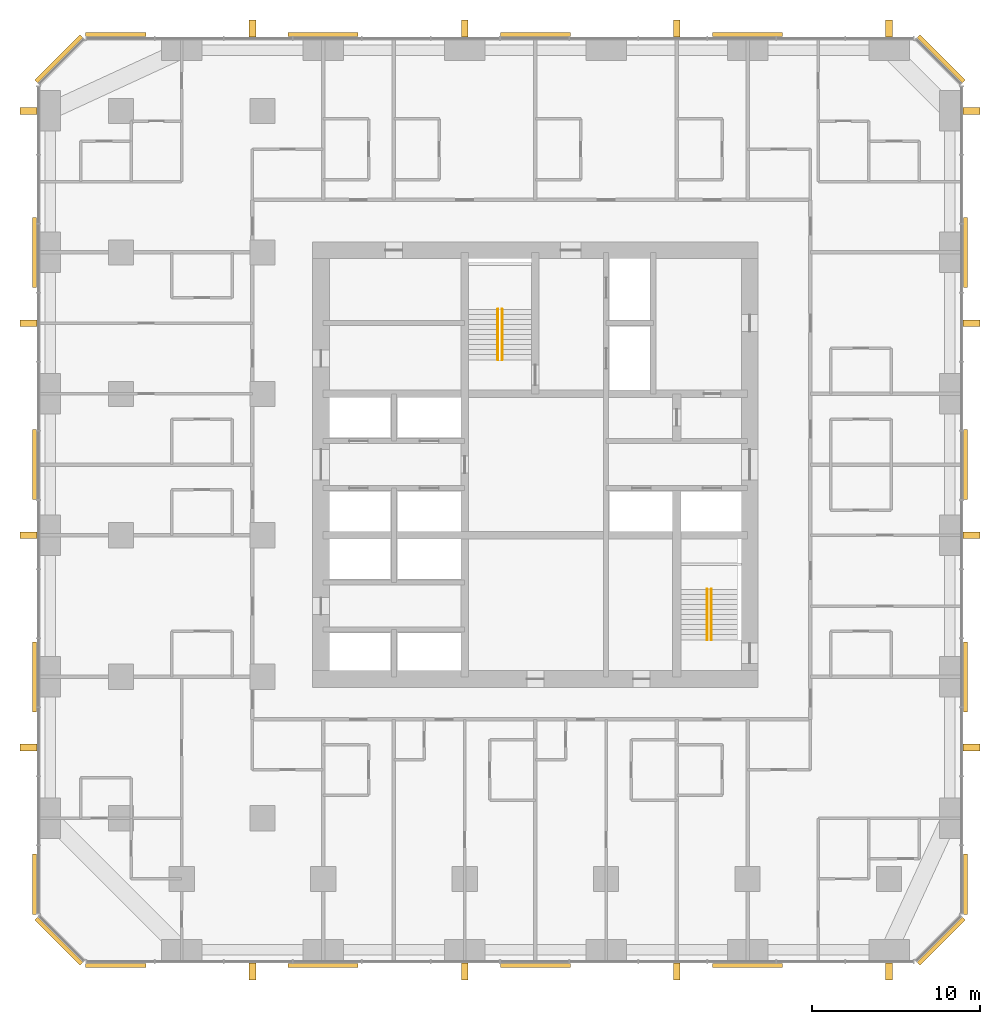
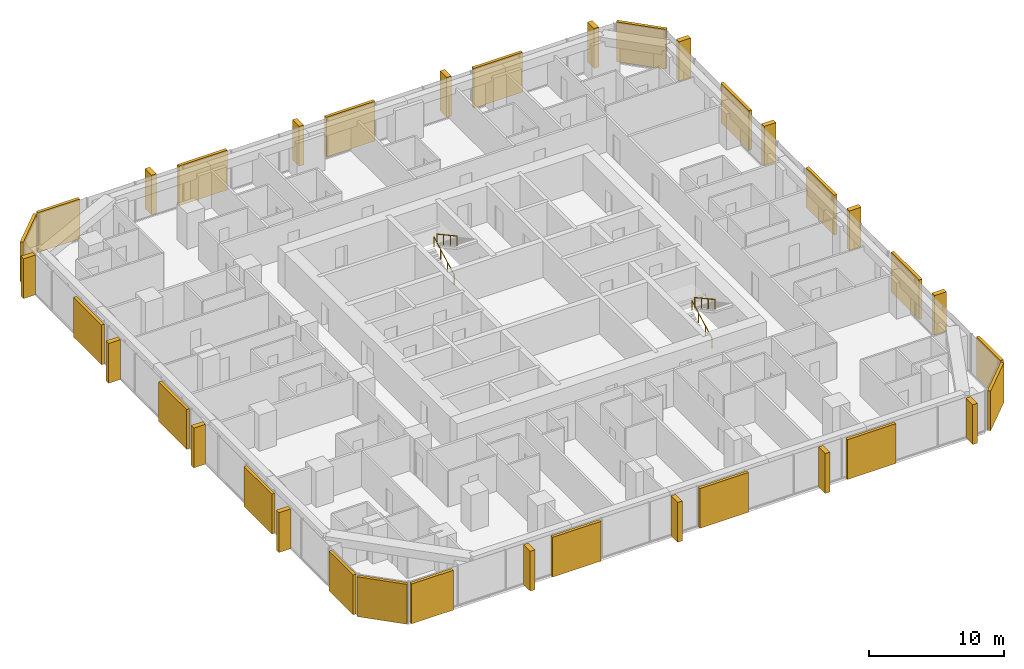
# One storey, part 14 of 14: 20 coverings, 16 shading devices, 4 railings.
"""IFC4 building model written with IfcOpenShell, lengths in metres."""

from ifc_helpers import new_model, si_unit, direction, frame, origin, origin_2d, place, context, subcontext, project, spatial, rectangle, circle, extrude, material, layer, layer_set, type_object, element, save


model = new_model("IFC4")

# Units and contexts
model_context = context("Model", 3, precision=1e-05, world=origin(), true_north=direction((0.0, 1.0)))
body_context = subcontext(model_context, "Body", "Model", "MODEL_VIEW")
ifc_project = project(units=[si_unit("LENGTHUNIT", "METRE"), si_unit("AREAUNIT", "SQUARE_METRE"), si_unit("VOLUMEUNIT", "CUBIC_METRE"), si_unit("PLANEANGLEUNIT", "RADIAN"), si_unit("MASSUNIT", "GRAM", prefix="KILO")], contexts=[model_context])

# Site, building, storey
site_placement = place(None, origin())
site = spatial("IfcSite", under=ifc_project, at=site_placement, CompositionType="ELEMENT")
building_placement = place(site_placement, origin())
building = spatial("IfcBuilding", under=site, at=building_placement, Name="Dunama Terrace Hotel", CompositionType="ELEMENT")
storey_placement = place(building_placement, frame((0.0, 0.0, 136.800048828125)))
storey = spatial("IfcBuildingStorey", under=building, at=storey_placement, Name="L35", CompositionType="ELEMENT", Elevation=136.800048828125)

# Railings
ifc_material_1 = material(Name="Stainless steel handrail", Category="steel")
railing_type = type_object("IfcRailingType", Name="Stair handrail 900", PredefinedType="HANDRAIL", material=ifc_material_1)
railing_1_placement = place(storey_placement, frame((27.175048828125, 35.625, 0.16357421875)))
element("IfcRailing", 1, at=railing_1_placement, inside=storey, type_object=railing_type, Name="Handrail ST1 L35", PredefinedType="HANDRAIL", context=body_context, shape_type="SweptSolid", body=[
    extrude(circle(Radius=0.02392578125, at=origin_2d()), frame((0.0, 0.0, 0.8759765625), z_axis=(0.0, 0.877881921179, 0.478877158013), x_axis=(-1.0, 0.0, 0.0)), (0.0, 0.0, 1.0), 3.417236328125),
    extrude(circle(Radius=0.02099609375, at=origin_2d()), origin(), (0.0, 0.0, 1.0), 0.851806640625),
    extrude(circle(Radius=0.02099609375, at=origin_2d()), frame((0.0, 1.0, 0.54541015625)), (0.0, 0.0, 1.0), 0.851806640625),
    extrude(circle(Radius=0.02099609375, at=origin_2d()), frame((0.0, 2.0, 1.091064453125)), (0.0, 0.0, 1.0), 0.851806640625),
    extrude(circle(Radius=0.02099609375, at=origin_2d()), frame((0.0, 3.0, 1.636474609375)), (0.0, 0.0, 1.0), 0.851806640625),
])
railing_2_placement = place(storey_placement, frame((27.425048828125, 38.625, 1.963623046875)))
element("IfcRailing", 2, at=railing_2_placement, inside=storey, type_object=railing_type, Name="Handrail ST1 L35", PredefinedType="HANDRAIL", context=body_context, shape_type="SweptSolid", body=[
    extrude(circle(Radius=0.02392578125, at=origin_2d()), frame((0.0, 0.0, 0.8759765625), z_axis=(0.0, -0.877911954615, 0.47882209634), x_axis=(1.0, 0.0, 0.0)), (0.0, 0.0, 1.0), 3.417236328125),
    extrude(circle(Radius=0.02099609375, at=origin_2d()), origin(), (0.0, 0.0, 1.0), 0.851806640625),
    extrude(circle(Radius=0.02099609375, at=origin_2d()), frame((0.0, -1.0, 0.54541015625)), (0.0, 0.0, 1.0), 0.851806640625),
    extrude(circle(Radius=0.02099609375, at=origin_2d()), frame((0.0, -2.0, 1.0908203125)), (0.0, 0.0, 1.0), 0.851806640625),
    extrude(circle(Radius=0.02099609375, at=origin_2d()), frame((0.0, -3.0, 1.63623046875)), (0.0, 0.0, 1.0), 0.851806640625),
])
railing_3_placement = place(storey_placement, frame((39.60009765625, 19.0, 0.16357421875)))
element("IfcRailing", 3, at=railing_3_placement, inside=storey, type_object=railing_type, Name="Handrail ST2 L35", PredefinedType="HANDRAIL", context=body_context, shape_type="SweptSolid", body=[
    extrude(circle(Radius=0.02392578125, at=origin_2d()), frame((0.0, 0.0, 0.8759765625), z_axis=(0.0, 0.877881921179, 0.478877158013), x_axis=(-1.0, 0.0, 0.0)), (0.0, 0.0, 1.0), 3.417236328125),
    extrude(circle(Radius=0.02099609375, at=origin_2d()), origin(), (0.0, 0.0, 1.0), 0.851806640625),
    extrude(circle(Radius=0.02099609375, at=origin_2d()), frame((0.0, 1.0, 0.54541015625)), (0.0, 0.0, 1.0), 0.851806640625),
    extrude(circle(Radius=0.02099609375, at=origin_2d()), frame((0.0, 2.0, 1.091064453125)), (0.0, 0.0, 1.0), 0.851806640625),
    extrude(circle(Radius=0.02099609375, at=origin_2d()), frame((0.0, 3.0, 1.636474609375)), (0.0, 0.0, 1.0), 0.851806640625),
])
railing_4_placement = place(storey_placement, frame((39.85009765625, 22.0, 1.963623046875)))
element("IfcRailing", 4, at=railing_4_placement, inside=storey, type_object=railing_type, Name="Handrail ST2 L35", PredefinedType="HANDRAIL", context=body_context, shape_type="SweptSolid", body=[
    extrude(circle(Radius=0.02392578125, at=origin_2d()), frame((0.0, 0.0, 0.8759765625), z_axis=(0.0, -0.877911954615, 0.47882209634), x_axis=(1.0, 0.0, 0.0)), (0.0, 0.0, 1.0), 3.417236328125),
    extrude(circle(Radius=0.02099609375, at=origin_2d()), origin(), (0.0, 0.0, 1.0), 0.851806640625),
    extrude(circle(Radius=0.02099609375, at=origin_2d()), frame((0.0, -1.0, 0.54541015625)), (0.0, 0.0, 1.0), 0.851806640625),
    extrude(circle(Radius=0.02099609375, at=origin_2d()), frame((0.0, -2.0, 1.0908203125)), (0.0, 0.0, 1.0), 0.851806640625),
    extrude(circle(Radius=0.02099609375, at=origin_2d()), frame((0.0, -3.0, 1.63623046875)), (0.0, 0.0, 1.0), 0.851806640625),
])

# Coverings
ifc_material_2 = material(Name="Warm reconstituted stone panel", Category="masonry")
ifc_layer_1 = layer(ifc_material_2, 0.25)
ifc_layer_set_1 = layer_set([ifc_layer_1], Name="Stone diagonal panel")
covering_type = type_object("IfcCoveringType", Name="Stone diagonal panel", PredefinedType="CLADDING", material=ifc_layer_set_1)
covering_1_placement = place(storey_placement, frame((4.489990234375, -0.343017578125, 0.001953125), z_axis=(0.0, 0.0, 1.0), x_axis=(1.0, 0.0, 0.0)))
element("IfcCovering", 5, at=covering_1_placement, inside=storey, type_object=covering_type, Name="Stone diagonal panel L35", PredefinedType="CLADDING", context=body_context, shape_type="SweptSolid", body=[
    extrude(rectangle(XDim=3.570068359375, YDim=0.25, at=origin_2d()), origin(), (0.0, 0.0, 1.0), 3.595947265625),
])
for number, where, z_axis, x_axis, name in (
    (6, (16.800048828125, -0.343017578125, 0.001953125), (0.0, 0.0, 1.0), (1.0, 0.0, 0.0), "Stone diagonal panel L35"),
    (7, (29.39990234375, -0.343017578125, 0.001953125), (0.0, 0.0, 1.0), (1.0, 0.0, 0.0), "Stone diagonal panel L35"),
    (8, (42.0, -0.343017578125, 0.001953125), (0.0, 0.0, 1.0), (1.0, 0.0, 0.0), "Stone diagonal panel L35"),
):
    element("IfcCovering", number, at=place(storey_placement, frame(where, z_axis=z_axis, x_axis=x_axis)), inside=storey, type_object=covering_type, Name=name, PredefinedType="CLADDING", context=body_context, shape_type="SweptSolid", body=[
        extrude(rectangle(XDim=4.14990234375, YDim=0.25, at=origin_2d()), origin(), (0.0, 0.0, 1.0), 3.595947265625),
    ])
covering_2_placement = place(storey_placement, frame((53.492919921875, 1.10693359375, 0.001953125), z_axis=(0.0, 0.0, 1.0), x_axis=(0.707106781187, 0.707106781187, 0.0)))
element("IfcCovering", 9, at=covering_2_placement, inside=storey, type_object=covering_type, Name="Stone diagonal panel L35", PredefinedType="CLADDING", context=body_context, shape_type="SweptSolid", body=[
    extrude(rectangle(XDim=3.808349609375, YDim=0.25, at=origin_2d()), origin(), (0.0, 0.0, 1.0), 3.595947265625),
])
covering_3_placement = place(storey_placement, frame((54.943115234375, 4.489990234375, 0.001953125), z_axis=(0.0, 0.0, 1.0), x_axis=(0.0, 1.0, 0.0)))
element("IfcCovering", 10, at=covering_3_placement, inside=storey, type_object=covering_type, Name="Stone diagonal panel L35", PredefinedType="CLADDING", context=body_context, shape_type="SweptSolid", body=[
    extrude(rectangle(XDim=3.570068359375, YDim=0.25, at=origin_2d()), origin(), (0.0, 0.0, 1.0), 3.595947265625),
])
for number, where, z_axis, x_axis, name in (
    (11, (54.943115234375, 16.800048828125, 0.001953125), (0.0, 0.0, 1.0), (0.0, 1.0, 0.0), "Stone diagonal panel L35"),
    (12, (54.943115234375, 29.39990234375, 0.001953125), (0.0, 0.0, 1.0), (0.0, 1.0, 0.0), "Stone diagonal panel L35"),
    (13, (54.943115234375, 42.0, 0.001953125), (0.0, 0.0, 1.0), (0.0, 1.0, 0.0), "Stone diagonal panel L35"),
):
    element("IfcCovering", number, at=place(storey_placement, frame(where, z_axis=z_axis, x_axis=x_axis)), inside=storey, type_object=covering_type, Name=name, PredefinedType="CLADDING", context=body_context, shape_type="SweptSolid", body=[
        extrude(rectangle(XDim=4.14990234375, YDim=0.25, at=origin_2d()), origin(), (0.0, 0.0, 1.0), 3.595947265625),
    ])
covering_4_placement = place(storey_placement, frame((53.492919921875, 53.492919921875, 0.001953125), z_axis=(0.0, 0.0, 1.0), x_axis=(-0.707106781187, 0.707106781187, 0.0)))
element("IfcCovering", 14, at=covering_4_placement, inside=storey, type_object=covering_type, Name="Stone diagonal panel L35", PredefinedType="CLADDING", context=body_context, shape_type="SweptSolid", body=[
    extrude(rectangle(XDim=3.808349609375, YDim=0.25, at=origin_2d()), origin(), (0.0, 0.0, 1.0), 3.595947265625),
])
for number, where, z_axis, x_axis, name in (
    (15, (42.0, 54.943115234375, 0.001953125), (0.0, 0.0, 1.0), (-1.0, 0.0, 0.0), "Stone diagonal panel L35"),
    (16, (29.39990234375, 54.943115234375, 0.001953125), (0.0, 0.0, 1.0), (-1.0, 0.0, 0.0), "Stone diagonal panel L35"),
    (17, (16.800048828125, 54.943115234375, 0.001953125), (0.0, 0.0, 1.0), (-1.0, 0.0, 0.0), "Stone diagonal panel L35"),
):
    element("IfcCovering", number, at=place(storey_placement, frame(where, z_axis=z_axis, x_axis=x_axis)), inside=storey, type_object=covering_type, Name=name, PredefinedType="CLADDING", context=body_context, shape_type="SweptSolid", body=[
        extrude(rectangle(XDim=4.14990234375, YDim=0.25, at=origin_2d()), origin(), (0.0, 0.0, 1.0), 3.595947265625),
    ])
covering_5_placement = place(storey_placement, frame((4.489990234375, 54.943115234375, 0.001953125), z_axis=(0.0, 0.0, 1.0), x_axis=(-1.0, 0.0, 0.0)))
element("IfcCovering", 18, at=covering_5_placement, inside=storey, type_object=covering_type, Name="Stone diagonal panel L35", PredefinedType="CLADDING", context=body_context, shape_type="SweptSolid", body=[
    extrude(rectangle(XDim=3.570068359375, YDim=0.25, at=origin_2d()), origin(), (0.0, 0.0, 1.0), 3.595947265625),
])
covering_6_placement = place(storey_placement, frame((1.10693359375, 53.492919921875, 0.001953125), z_axis=(0.0, 0.0, 1.0), x_axis=(-0.707106781187, -0.707106781187, 0.0)))
element("IfcCovering", 19, at=covering_6_placement, inside=storey, type_object=covering_type, Name="Stone diagonal panel L35", PredefinedType="CLADDING", context=body_context, shape_type="SweptSolid", body=[
    extrude(rectangle(XDim=3.808349609375, YDim=0.25, at=origin_2d()), origin(), (0.0, 0.0, 1.0), 3.595947265625),
])
for number, where, z_axis, x_axis, name in (
    (20, (-0.343017578125, 42.0, 0.001953125), (0.0, 0.0, 1.0), (0.0, -1.0, 0.0), "Stone diagonal panel L35"),
    (21, (-0.343017578125, 29.39990234375, 0.001953125), (0.0, 0.0, 1.0), (0.0, -1.0, 0.0), "Stone diagonal panel L35"),
    (22, (-0.343017578125, 16.800048828125, 0.001953125), (0.0, 0.0, 1.0), (0.0, -1.0, 0.0), "Stone diagonal panel L35"),
):
    element("IfcCovering", number, at=place(storey_placement, frame(where, z_axis=z_axis, x_axis=x_axis)), inside=storey, type_object=covering_type, Name=name, PredefinedType="CLADDING", context=body_context, shape_type="SweptSolid", body=[
        extrude(rectangle(XDim=4.14990234375, YDim=0.25, at=origin_2d()), origin(), (0.0, 0.0, 1.0), 3.595947265625),
    ])
covering_7_placement = place(storey_placement, frame((-0.343017578125, 4.489990234375, 0.001953125), z_axis=(0.0, 0.0, 1.0), x_axis=(0.0, -1.0, 0.0)))
element("IfcCovering", 23, at=covering_7_placement, inside=storey, type_object=covering_type, Name="Stone diagonal panel L35", PredefinedType="CLADDING", context=body_context, shape_type="SweptSolid", body=[
    extrude(rectangle(XDim=3.570068359375, YDim=0.25, at=origin_2d()), origin(), (0.0, 0.0, 1.0), 3.595947265625),
])
covering_8_placement = place(storey_placement, frame((1.10693359375, 1.10693359375, 0.001953125), z_axis=(0.0, 0.0, 1.0), x_axis=(0.707106781187, -0.707106781187, 0.0)))
element("IfcCovering", 24, at=covering_8_placement, inside=storey, type_object=covering_type, Name="Stone diagonal panel L35", PredefinedType="CLADDING", context=body_context, shape_type="SweptSolid", body=[
    extrude(rectangle(XDim=3.808349609375, YDim=0.25, at=origin_2d()), origin(), (0.0, 0.0, 1.0), 3.595947265625),
])

# Shading devices
ifc_material_3 = material(Name="Warm reconstituted stone fin", Category="masonry")
ifc_layer_2 = layer(ifc_material_3, 0.39990234375)
ifc_layer_set_2 = layer_set([ifc_layer_2], Name="Warm stone fin 400x1000")
shading_device_type = type_object("IfcShadingDeviceType", Name="Warm stone fin 400x1000", PredefinedType="USERDEFINED", material=ifc_layer_set_2)
for number, where, z_axis, x_axis, name in (
    (25, (12.60009765625, -0.697998046875, 0.0), (0.0, 0.0, 1.0), (1.0, 0.0, 0.0), "Stone fin"),
    (26, (25.199951171875, -0.697998046875, 0.0), (0.0, 0.0, 1.0), (1.0, 0.0, 0.0), "Stone fin"),
    (27, (37.800048828125, -0.697998046875, 0.0), (0.0, 0.0, 1.0), (1.0, 0.0, 0.0), "Stone fin"),
    (28, (50.39990234375, -0.697998046875, 0.0), (0.0, 0.0, 1.0), (1.0, 0.0, 0.0), "Stone fin"),
    (29, (55.298095703125, 12.60009765625, 0.0), (0.0, 0.0, 1.0), (0.0, 1.0, 0.0), "Stone fin"),
    (30, (55.298095703125, 25.199951171875, 0.0), (0.0, 0.0, 1.0), (0.0, 1.0, 0.0), "Stone fin"),
    (31, (55.298095703125, 37.800048828125, 0.0), (0.0, 0.0, 1.0), (0.0, 1.0, 0.0), "Stone fin"),
    (32, (55.298095703125, 50.39990234375, 0.0), (0.0, 0.0, 1.0), (0.0, 1.0, 0.0), "Stone fin"),
    (33, (50.39990234375, 55.298095703125, 0.0), (0.0, 0.0, 1.0), (-1.0, 0.0, 0.0), "Stone fin"),
    (34, (37.800048828125, 55.298095703125, 0.0), (0.0, 0.0, 1.0), (-1.0, 0.0, 0.0), "Stone fin"),
    (35, (25.199951171875, 55.298095703125, 0.0), (0.0, 0.0, 1.0), (-1.0, 0.0, 0.0), "Stone fin"),
    (36, (12.60009765625, 55.298095703125, 0.0), (0.0, 0.0, 1.0), (-1.0, 0.0, 0.0), "Stone fin"),
    (37, (-0.697998046875, 50.39990234375, 0.0), (0.0, 0.0, 1.0), (0.0, -1.0, 0.0), "Stone fin"),
    (38, (-0.697998046875, 37.800048828125, 0.0), (0.0, 0.0, 1.0), (0.0, -1.0, 0.0), "Stone fin"),
    (39, (-0.697998046875, 25.199951171875, 0.0), (0.0, 0.0, 1.0), (0.0, -1.0, 0.0), "Stone fin"),
    (40, (-0.697998046875, 12.60009765625, 0.0), (0.0, 0.0, 1.0), (0.0, -1.0, 0.0), "Stone fin"),
):
    element("IfcShadingDevice", number, at=place(storey_placement, frame(where, z_axis=z_axis, x_axis=x_axis)), inside=storey, type_object=shading_device_type, Name=name, ObjectType="FIN", PredefinedType="USERDEFINED", context=body_context, shape_type="SweptSolid", body=[
        extrude(rectangle(XDim=0.39990234375, YDim=1.0, at=origin_2d()), origin(), (0.0, 0.0, 1.0), 3.60009765625),
    ])

save(model, "model.ifc")
